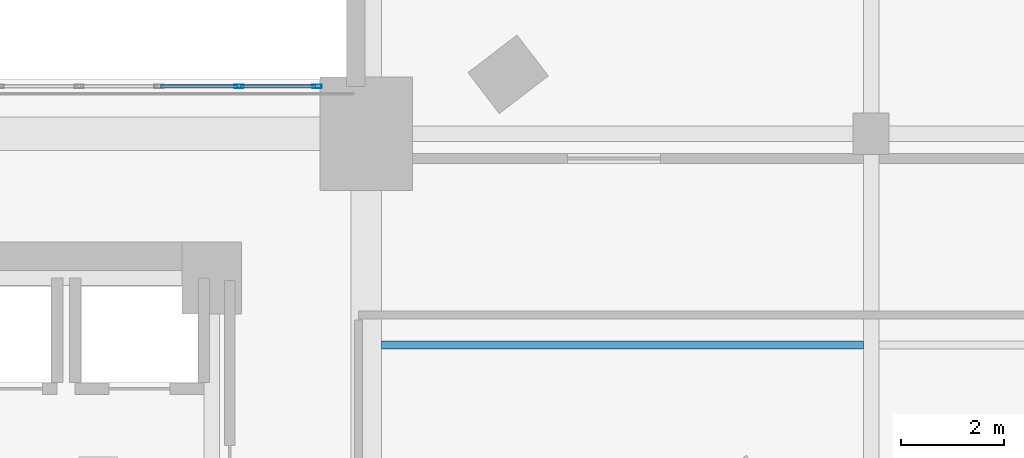
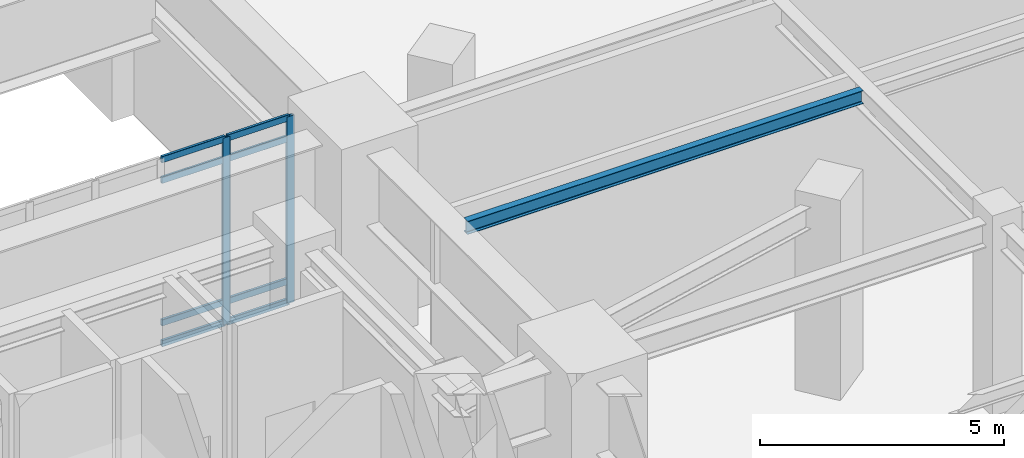
# One storey, part 14 of 25: 10 members, 1 beam, 1 element without a shape of its own.
"""IFC4 building model written with IfcOpenShell, lengths in metres."""

from ifc_helpers import new_model, si_unit, direction, frame, origin, origin_2d, place, context, subcontext, project, spatial, hollow_rectangle, i_section, extrude, material, layer, layer_set, material_profile, profile_set, type_object, element, aggregate, save


model = new_model("IFC4")

# Units and contexts
model_context = context("Model", 3, precision=1e-05, world=origin(), true_north=direction((0.0, 1.0)))
body_context = subcontext(model_context, "Body", "Model", "MODEL_VIEW")
ifc_project = project(units=[si_unit("LENGTHUNIT", "METRE"), si_unit("AREAUNIT", "SQUARE_METRE"), si_unit("VOLUMEUNIT", "CUBIC_METRE"), si_unit("PLANEANGLEUNIT", "RADIAN"), si_unit("MASSUNIT", "GRAM", prefix="KILO")], contexts=[model_context])

# Site, building, storey
site_placement = place(None, origin())
site = spatial("IfcSite", under=ifc_project, at=site_placement, CompositionType="ELEMENT")
building_placement = place(site_placement, origin())
building = spatial("IfcBuilding", under=site, at=building_placement, Name="Ndelora Gate Hotel", CompositionType="ELEMENT")
storey_placement = place(building_placement, frame((0.0, 0.0, 11.0)))
storey = spatial("IfcBuildingStorey", under=building, at=storey_placement, Name="L02", CompositionType="ELEMENT", Elevation=11.0)

# Beam
ifc_material_1 = material(Name="Steel S355", Category="steel")
ifc_material_profile_1 = material_profile(ifc_material_1, i_section(OverallWidth=0.159912109375, OverallDepth=0.330078125, WebThickness=0.007568359375, FlangeThickness=0.011474609375, FilletRadius=0.01806640625, at=origin_2d()), Name="IPE 330")
ifc_profile_set_1 = profile_set([ifc_material_profile_1], Name="Steel S355")
beam_type = type_object("IfcBeamType", Name="BM-JST-330", PredefinedType="JOIST", material=ifc_profile_set_1)
beam_placement = place(storey_placement, frame((11.300048828125, 5.300048828125, 4.4951171875), z_axis=(1.0, 0.0, 0.0), x_axis=(0.0, 1.0, 0.0)))
element("IfcBeam", 1, at=beam_placement, inside=storey, type_object=beam_type, Name="L02 Podium Composite Secondary Joist 5", PredefinedType="JOIST", context=body_context, shape_type="SweptSolid", body=[
    extrude(i_section(OverallWidth=0.159912109375, OverallDepth=0.330078125, WebThickness=0.007568359375, FlangeThickness=0.011474609375, FilletRadius=0.01806640625, at=origin_2d()), origin(), (0.0, 0.0, 1.0), 9.349853515625),
])

# Curtain wall, members
ifc_material_2 = material(Name="Bronze Anodised Unitised Aluminium and Low-E Glass", Category="aluminium")
ifc_layer = layer(ifc_material_2, 0.239990234375)
ifc_layer_set = layer_set([ifc_layer], Name="Bronze Anodised Unitised Aluminium and Low-E Glass")
curtain_wall_type = type_object("IfcCurtainWallType", Name="CW-SYS-1", PredefinedType="NOTDEFINED", material=ifc_layer_set)
curtain_wall_placement = place(storey_placement, origin())
curtain_wall = element("IfcCurtainWall", 2, at=curtain_wall_placement, inside=storey, type_object=curtain_wall_type, Name="L02 North Portal Arch Concourse Curtain Wall CW1", PredefinedType="NOTDEFINED")
ifc_material_3 = material(Name="Bronze Anodised Aluminium 6063-T6", Category="aluminium")
ifc_material_profile_2 = material_profile(ifc_material_3, hollow_rectangle(XDim=0.070068359375, YDim=0.179931640625, WallThickness=0.0048828125, InnerFilletRadius=0.0048828125, OuterFilletRadius=0.010009765625, at=origin_2d()), Name="ALU 180x70x5")
ifc_profile_set_2 = profile_set([ifc_material_profile_2], Name="Bronze Anodised Aluminium 6063-T6")
member_type_1 = type_object("IfcMemberType", Name="MB-CW-MUL180", PredefinedType="MULLION", material=ifc_profile_set_2)
member_1_placement = place(storey_placement, frame((10.044921875, 10.320068359375, -0.00390625), z_axis=(0.0, 0.0, 1.0), x_axis=(0.0, -1.0, 0.0)))
member_1 = element("IfcMember", 3, at=member_1_placement, type_object=member_type_1, Name="CW1 mullion 1", PredefinedType="MULLION", context=body_context, shape_type="SweptSolid", body=[
    extrude(hollow_rectangle(XDim=0.070068359375, YDim=0.179931640625, WallThickness=0.0048828125, InnerFilletRadius=0.0048828125, OuterFilletRadius=0.010009765625, at=origin_2d()), origin(), (0.0, 0.0, 1.0), 4.66796875),
])
member_2_placement = place(storey_placement, frame((8.529296875, 10.320068359375, -0.00390625), z_axis=(0.0, 0.0, 1.0), x_axis=(0.0, -1.0, 0.0)))
member_2 = element("IfcMember", 4, at=member_2_placement, type_object=member_type_1, Name="CW1 mullion 2", PredefinedType="MULLION", context=body_context, shape_type="SweptSolid", body=[
    extrude(hollow_rectangle(XDim=0.070068359375, YDim=0.179931640625, WallThickness=0.0048828125, InnerFilletRadius=0.0048828125, OuterFilletRadius=0.010009765625, at=origin_2d()), origin(), (0.0, 0.0, 1.0), 4.66796875),
])
ifc_material_profile_3 = material_profile(ifc_material_3, hollow_rectangle(XDim=0.06494140625, YDim=0.159912109375, WallThickness=0.00390625, InnerFilletRadius=0.00390625, OuterFilletRadius=0.008056640625, at=origin_2d()), Name="ALU 160x65x4")
ifc_profile_set_3 = profile_set([ifc_material_profile_3], Name="Bronze Anodised Aluminium 6063-T6")
member_type_2 = type_object("IfcMemberType", Name="MB-CW-TRN150", PredefinedType="USERDEFINED", material=ifc_profile_set_3)
member_3_placement = place(storey_placement, frame((10.01611328125, 10.320068359375, 0.032470703125), z_axis=(-1.0, 0.0, 0.0), x_axis=(0.0, -1.0, 0.0)))
member_3 = element("IfcMember", 5, at=member_3_placement, type_object=member_type_2, Name="CW1 transom 1.1", ObjectType="TRANSOM", PredefinedType="USERDEFINED", context=body_context, shape_type="SweptSolid", body=[
    extrude(hollow_rectangle(XDim=0.06494140625, YDim=0.159912109375, WallThickness=0.00390625, InnerFilletRadius=0.00390625, OuterFilletRadius=0.008056640625, at=origin_2d()), origin(), (0.0, 0.0, 1.0), 1.457763671875),
])
member_4_placement = place(storey_placement, frame((10.01611328125, 10.320068359375, 0.550048828125), z_axis=(-1.0, 0.0, 0.0), x_axis=(0.0, -1.0, 0.0)))
member_4 = element("IfcMember", 6, at=member_4_placement, type_object=member_type_2, Name="CW1 transom 1.2", ObjectType="TRANSOM", PredefinedType="USERDEFINED", context=body_context, shape_type="SweptSolid", body=[
    extrude(hollow_rectangle(XDim=0.06494140625, YDim=0.159912109375, WallThickness=0.00390625, InnerFilletRadius=0.00390625, OuterFilletRadius=0.008056640625, at=origin_2d()), origin(), (0.0, 0.0, 1.0), 1.457763671875),
])
member_5_placement = place(storey_placement, frame((10.01611328125, 10.320068359375, 4.110107421875), z_axis=(-1.0, 0.0, 0.0), x_axis=(0.0, -1.0, 0.0)))
member_5 = element("IfcMember", 7, at=member_5_placement, type_object=member_type_2, Name="CW1 transom 1.3", ObjectType="TRANSOM", PredefinedType="USERDEFINED", context=body_context, shape_type="SweptSolid", body=[
    extrude(hollow_rectangle(XDim=0.06494140625, YDim=0.159912109375, WallThickness=0.00390625, InnerFilletRadius=0.00390625, OuterFilletRadius=0.008056640625, at=origin_2d()), origin(), (0.0, 0.0, 1.0), 1.457763671875),
])
member_6_placement = place(storey_placement, frame((10.01611328125, 10.320068359375, 4.62744140625), z_axis=(-1.0, 0.0, 0.0), x_axis=(0.0, -1.0, 0.0)))
member_6 = element("IfcMember", 8, at=member_6_placement, type_object=member_type_2, Name="CW1 transom 1.4", ObjectType="TRANSOM", PredefinedType="USERDEFINED", context=body_context, shape_type="SweptSolid", body=[
    extrude(hollow_rectangle(XDim=0.06494140625, YDim=0.159912109375, WallThickness=0.00390625, InnerFilletRadius=0.00390625, OuterFilletRadius=0.008056640625, at=origin_2d()), origin(), (0.0, 0.0, 1.0), 1.457763671875),
])
member_7_placement = place(storey_placement, frame((8.500244140625, 10.320068359375, 0.032470703125), z_axis=(-1.0, 0.0, 0.0), x_axis=(0.0, -1.0, 0.0)))
member_7 = element("IfcMember", 9, at=member_7_placement, type_object=member_type_2, Name="CW1 transom 2.1", ObjectType="TRANSOM", PredefinedType="USERDEFINED", context=body_context, shape_type="SweptSolid", body=[
    extrude(hollow_rectangle(XDim=0.06494140625, YDim=0.159912109375, WallThickness=0.00390625, InnerFilletRadius=0.00390625, OuterFilletRadius=0.008056640625, at=origin_2d()), origin(), (0.0, 0.0, 1.0), 1.49267578125),
])
member_8_placement = place(storey_placement, frame((8.500244140625, 10.320068359375, 0.550048828125), z_axis=(-1.0, 0.0, 0.0), x_axis=(0.0, -1.0, 0.0)))
member_8 = element("IfcMember", 10, at=member_8_placement, type_object=member_type_2, Name="CW1 transom 2.2", ObjectType="TRANSOM", PredefinedType="USERDEFINED", context=body_context, shape_type="SweptSolid", body=[
    extrude(hollow_rectangle(XDim=0.06494140625, YDim=0.159912109375, WallThickness=0.00390625, InnerFilletRadius=0.00390625, OuterFilletRadius=0.008056640625, at=origin_2d()), origin(), (0.0, 0.0, 1.0), 1.49267578125),
])
member_9_placement = place(storey_placement, frame((8.500244140625, 10.320068359375, 4.110107421875), z_axis=(-1.0, 0.0, 0.0), x_axis=(0.0, -1.0, 0.0)))
member_9 = element("IfcMember", 11, at=member_9_placement, type_object=member_type_2, Name="CW1 transom 2.3", ObjectType="TRANSOM", PredefinedType="USERDEFINED", context=body_context, shape_type="SweptSolid", body=[
    extrude(hollow_rectangle(XDim=0.06494140625, YDim=0.159912109375, WallThickness=0.00390625, InnerFilletRadius=0.00390625, OuterFilletRadius=0.008056640625, at=origin_2d()), origin(), (0.0, 0.0, 1.0), 1.49267578125),
])
member_10_placement = place(storey_placement, frame((8.500244140625, 10.320068359375, 4.62744140625), z_axis=(-1.0, 0.0, 0.0), x_axis=(0.0, -1.0, 0.0)))
member_10 = element("IfcMember", 12, at=member_10_placement, type_object=member_type_2, Name="CW1 transom 2.4", ObjectType="TRANSOM", PredefinedType="USERDEFINED", context=body_context, shape_type="SweptSolid", body=[
    extrude(hollow_rectangle(XDim=0.06494140625, YDim=0.159912109375, WallThickness=0.00390625, InnerFilletRadius=0.00390625, OuterFilletRadius=0.008056640625, at=origin_2d()), origin(), (0.0, 0.0, 1.0), 1.49267578125),
])
aggregate(curtain_wall, [member_1, member_2, member_3, member_4, member_5, member_6, member_7, member_8, member_9, member_10])

save(model, "model.ifc")
